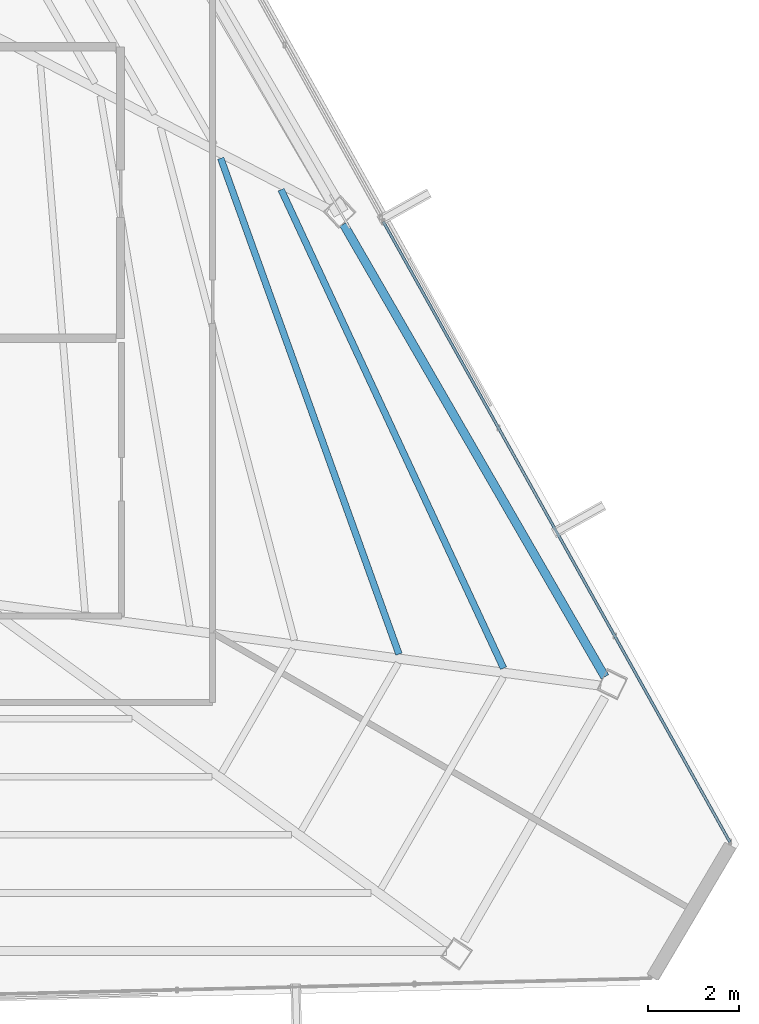
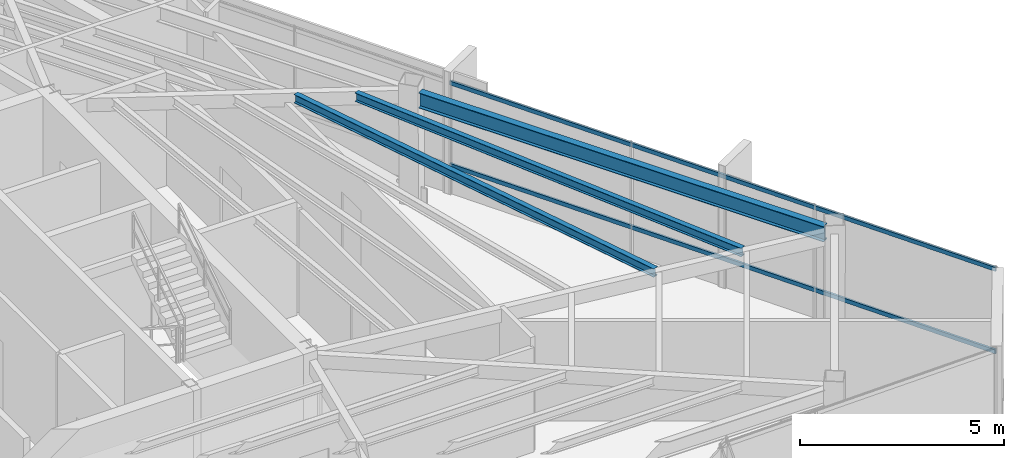
# One storey, part 26 of 45: 3 beams, 2 members, 1 element without a shape of its own.
"""IFC4 building model written with IfcOpenShell, lengths in metres."""

from ifc_helpers import new_model, si_unit, direction, frame, origin, origin_2d, place, context, subcontext, project, spatial, hollow_rectangle, i_section, extrude, source, transform, mapped, material, material_profile, profile_set, type_object, type_shapes, element, aggregate, save


model = new_model("IFC4")

# Units and contexts
model_context = context("Model", 3, precision=1e-05, world=origin(), true_north=direction((0.0, 1.0)))
body_context = subcontext(model_context, "Body", "Model", "MODEL_VIEW")
ifc_project = project(units=[si_unit("LENGTHUNIT", "METRE"), si_unit("AREAUNIT", "SQUARE_METRE"), si_unit("VOLUMEUNIT", "CUBIC_METRE"), si_unit("PLANEANGLEUNIT", "RADIAN"), si_unit("MASSUNIT", "GRAM", prefix="KILO")], contexts=[model_context])

# Site, building, storey
site_placement = place(None, origin())
site = spatial("IfcSite", under=ifc_project, at=site_placement, CompositionType="ELEMENT")
building_placement = place(site_placement, origin())
building = spatial("IfcBuilding", under=site, at=building_placement, Name="Caelisora Broadcast Tower", CompositionType="ELEMENT")
storey_placement = place(building_placement, frame((0.0, 0.0, 273.64990234375)))
storey = spatial("IfcBuildingStorey", under=building, at=storey_placement, Name="L72", CompositionType="ELEMENT", Elevation=273.64990234375)

# Beams
ifc_material_1 = material(Name="Steel Grade 350 (AS/NZS 3679.1)", Category="steel")
ifc_material_profile_1 = material_profile(ifc_material_1, i_section(OverallWidth=0.19091796875, OverallDepth=0.46044921875, WebThickness=0.010009765625, FlangeThickness=0.01611328125, at=origin_2d()), Name="Steel Grade 350 (AS/NZS 3679.1)")
ifc_profile_set_1 = profile_set([ifc_material_profile_1], Name="Steel Grade 350 (AS/NZS 3679.1)")
beam_type_1 = type_object("IfcBeamType", Name="PG06", PredefinedType="BEAM", material=ifc_profile_set_1)
shared_shape_1 = source(origin(), body_context, "Body", "SweptSolid", [
    extrude(i_section(OverallWidth=0.19091796875, OverallDepth=0.46044921875, WebThickness=0.010009765625, FlangeThickness=0.01611328125, at=origin_2d()), origin(), (0.0, 0.0, 1.0), 11.476806640625),
])
type_shapes(beam_type_1, [shared_shape_1])
beam_1_placement = place(storey_placement, frame((59.212158203125, 15.767822265625, 3.169921875), z_axis=(-0.500007868499, 0.866020860857, 0.0), x_axis=(-0.866020860857, -0.500007868499, 0.0)))
element("IfcBeam", 1, at=beam_1_placement, inside=storey, type_object=beam_type_1, Name="L72 beam PG06", PredefinedType="BEAM", context=body_context, shape_type="MappedRepresentation", body=[
    mapped(shared_shape_1, transform((0.0, 0.0, 0.0), scale=1.0)),
])
ifc_material_profile_2 = material_profile(ifc_material_1, i_section(OverallWidth=0.14599609375, OverallDepth=0.256103515625, WebThickness=0.00634765625, FlangeThickness=0.010986328125, at=origin_2d()), Name="Steel Grade 350 (AS/NZS 3679.1)")
ifc_profile_set_2 = profile_set([ifc_material_profile_2], Name="Steel Grade 350 (AS/NZS 3679.1)")
beam_type_2 = type_object("IfcBeamType", Name="SB04", PredefinedType="JOIST", material=ifc_profile_set_2)
shared_shape_2 = source(origin(), body_context, "Body", "SweptSolid", [
    extrude(i_section(OverallWidth=0.14599609375, OverallDepth=0.256103515625, WebThickness=0.00634765625, FlangeThickness=0.010986328125, at=origin_2d()), origin(), (0.0, 0.0, 1.0), 11.586181640625),
])
beam_2_placement = place(storey_placement, frame((56.986328125, 15.95703125, 3.27197265625), z_axis=(-0.421389882787, 0.906879576727, 0.0), x_axis=(-0.906879576727, -0.421389882787, 0.0)))
element("IfcBeam", 2, at=beam_2_placement, inside=storey, type_object=beam_type_2, Name="L72 beam SB04", PredefinedType="JOIST", context=body_context, shape_type="MappedRepresentation", body=[
    mapped(shared_shape_2, transform((0.0, 0.0, 0.0), scale=1.0)),
])
shared_shape_3 = source(origin(), body_context, "Body", "SweptSolid", [
    extrude(i_section(OverallWidth=0.14599609375, OverallDepth=0.256103515625, WebThickness=0.00634765625, FlangeThickness=0.010986328125, at=origin_2d()), origin(), (0.0, 0.0, 1.0), 11.569580078125),
])
type_shapes(beam_type_2, [shared_shape_2, shared_shape_3])
beam_3_placement = place(storey_placement, frame((54.69091796875, 16.264892578125, 3.27197265625), z_axis=(-0.338223254586, 0.941065901017, 0.0), x_axis=(-0.941065901017, -0.338223254586, 0.0)))
element("IfcBeam", 3, at=beam_3_placement, inside=storey, type_object=beam_type_2, Name="L72 beam SB04", PredefinedType="JOIST", context=body_context, shape_type="MappedRepresentation", body=[
    mapped(shared_shape_3, transform((0.0, 0.0, 0.0), scale=1.0)),
])

# Curtain wall, members
ifc_material_2 = material(Name="Unitised Aluminium and Low-E Glass Curtain Wall", Category="glass")
curtain_wall_type = type_object("IfcCurtainWallType", Name="CW-Z5", PredefinedType="NOTDEFINED", material=ifc_material_2)
curtain_wall_placement = place(storey_placement, origin())
curtain_wall = element("IfcCurtainWall", 4, at=curtain_wall_placement, inside=storey, type_object=curtain_wall_type, Name="L72 curtain wall CW-Z5", PredefinedType="NOTDEFINED")
ifc_material_3 = material(Name="Aluminium 6063-T6 Anodised Terracotta Bronze", Category="aluminium")
ifc_material_profile_3 = material_profile(ifc_material_3, hollow_rectangle(XDim=0.06005859375, YDim=0.1201171875, WallThickness=0.0029296875, at=origin_2d()), Name="Aluminium 6063-T6 Anodised Terracotta Bronze")
ifc_profile_set_3 = profile_set([ifc_material_profile_3], Name="Aluminium 6063-T6 Anodised Terracotta Bronze")
member_type = type_object("IfcMemberType", Name="CWT-03", PredefinedType="USERDEFINED", material=ifc_profile_set_3)
shared_shape_4 = source(origin(), body_context, "Body", "SweptSolid", [
    extrude(hollow_rectangle(XDim=0.06005859375, YDim=0.1201171875, WallThickness=0.0029296875, at=origin_2d()), origin(), (0.0, 0.0, 1.0), 15.60693359375),
])
type_shapes(member_type, [shared_shape_4])
member_1_placement = place(storey_placement, frame((54.34619140625, 25.761962890625, 0.85009765625), z_axis=(0.487685669252, -0.873019294178, 0.0), x_axis=(0.873019294178, 0.487685669252, 0.0)))
member_1 = element("IfcMember", 5, at=member_1_placement, type_object=member_type, Name="L72-CW-B03 transom #1", ObjectType="TRANSOM", PredefinedType="USERDEFINED", context=body_context, shape_type="MappedRepresentation", body=[
    mapped(shared_shape_4, transform((0.0, 0.0, 0.0), scale=1.0)),
])
member_2_placement = place(storey_placement, frame((54.34619140625, 25.761962890625, 3.320068359375), z_axis=(0.487685669252, -0.873019294178, 0.0), x_axis=(0.873019294178, 0.487685669252, 0.0)))
member_2 = element("IfcMember", 6, at=member_2_placement, type_object=member_type, Name="L72-CW-B03 transom #2", ObjectType="TRANSOM", PredefinedType="USERDEFINED", context=body_context, shape_type="MappedRepresentation", body=[
    mapped(shared_shape_4, transform((0.0, 0.0, 0.0), scale=1.0)),
])
aggregate(curtain_wall, [member_1, member_2])

save(model, "model.ifc")
